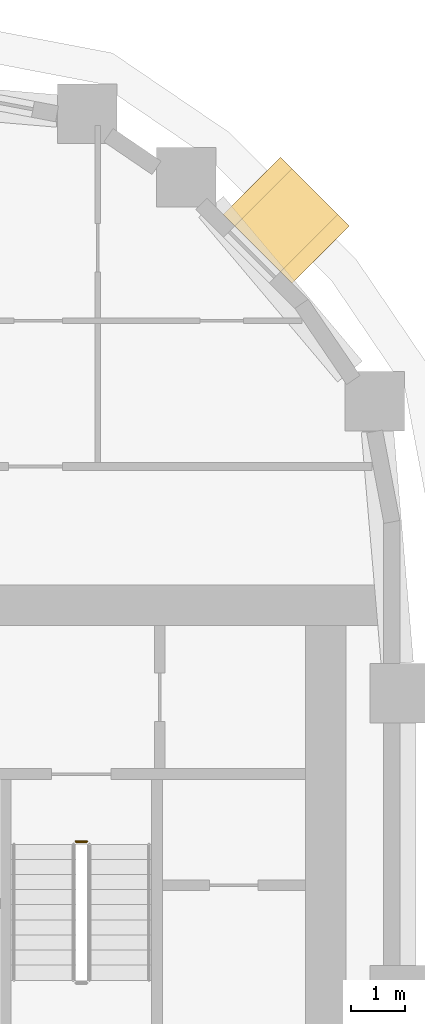
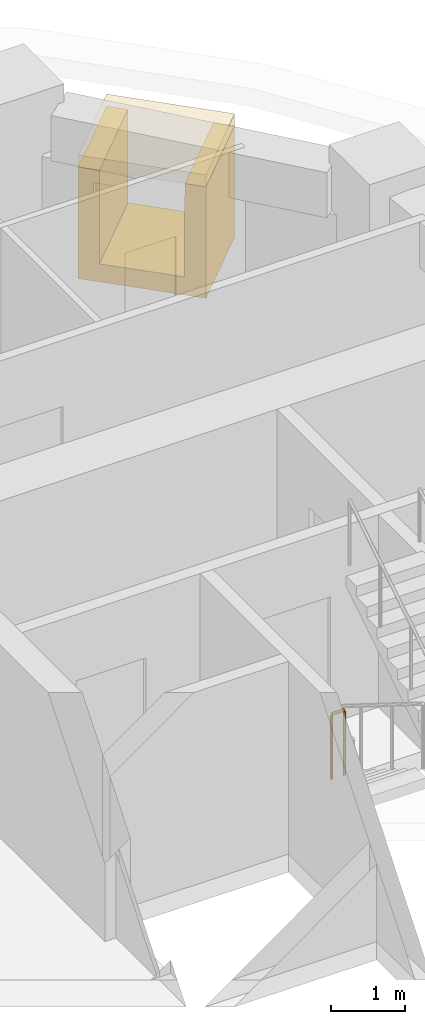
# One storey, part 22 of 22: 2 coverings, 1 railing.
"""IFC4 building model written with IfcOpenShell, lengths in metres."""

from ifc_helpers import new_model, si_unit, direction, frame, origin, origin_2d, place, context, subcontext, project, spatial, polyline, rectangle, circle, outline, extrude, material, layer, layer_set, type_object, element, save


model = new_model("IFC4")

# Units and contexts
model_context = context("Model", 3, precision=1e-05, world=origin(), true_north=direction((0.0, 1.0)))
body_context = subcontext(model_context, "Body", "Model", "MODEL_VIEW")
ifc_project = project(units=[si_unit("LENGTHUNIT", "METRE"), si_unit("AREAUNIT", "SQUARE_METRE"), si_unit("VOLUMEUNIT", "CUBIC_METRE"), si_unit("PLANEANGLEUNIT", "RADIAN"), si_unit("MASSUNIT", "GRAM", prefix="KILO")], contexts=[model_context])

# Site, building, storey
site_placement = place(None, origin())
site = spatial("IfcSite", under=ifc_project, at=site_placement, CompositionType="ELEMENT")
building_placement = place(site_placement, origin())
building = spatial("IfcBuilding", under=site, at=building_placement, Name="Kiln Ring Residences", CompositionType="ELEMENT")
storey_placement = place(building_placement, frame((0.0, 0.0, 139.60009765625)))
storey = spatial("IfcBuildingStorey", under=building, at=storey_placement, Name="L35", CompositionType="ELEMENT", Elevation=139.60009765625)

# Railing
ifc_material_1 = material(Name="Stainless steel", Category="steel")
railing_type = type_object("IfcRailingType", Name="CORE-STAIR-GUARD", PredefinedType="GUARDRAIL", material=ifc_material_1)
railing_placement = place(storey_placement, frame((22.0, 8.449951171875, 0.0)))
element("IfcRailing", 1, at=railing_placement, inside=storey, type_object=railing_type, Name="L35 E-STN stair guard 4", PredefinedType="GUARDRAIL", context=body_context, shape_type="SweptSolid", body=[
    extrude(circle(Radius=0.02392578125, at=origin_2d()), frame((0.0, 0.0, 1.076171875), z_axis=(1.0, 0.0, 0.0), x_axis=(0.0, 1.0, 0.0)), (0.0, 0.0, 1.0), 0.199951171875),
    extrude(circle(Radius=0.02099609375, at=origin_2d()), origin(), (0.0, 0.0, 1.0), 1.052001953125),
    extrude(circle(Radius=0.02099609375, at=origin_2d()), frame((0.199951171875, 0.0, 0.0)), (0.0, 0.0, 1.0), 1.052001953125),
])

# Coverings
ifc_material_2 = material(Name="Brick masonry, dark clay brick", Category="masonry")
ifc_layer_1 = layer(ifc_material_2, 0.300048828125)
ifc_layer_set_1 = layer_set([ifc_layer_1], Name="FRAME CHEEKS AND SILL 1500")
covering_type_1 = type_object("IfcCoveringType", Name="FRAME CHEEKS AND SILL 1500", PredefinedType="CLADDING", material=ifc_layer_set_1)
covering_1_placement = place(storey_placement, frame((26.53271484375, 19.327880859375, 0.2998046875), z_axis=(0.0, 0.0, 1.0), x_axis=(-0.707106781187, 0.707106781187, 0.0)))
element("IfcCovering", 2, at=covering_1_placement, inside=storey, type_object=covering_type_1, Name="FRAME L35", PredefinedType="CLADDING", context=body_context, shape_type="SweptSolid", body=[
    extrude(outline(polyline([(0.0, 0.0), (1.7998046875, 0.0), (1.800048828125, 1.85009765625), (1.5009765625, 1.85009765625), (1.5, 0.300048828125), (0.300048828125, 0.300048828125), (0.299072265625, 1.85009765625), (0.0, 1.85009765625), (0.0, 0.0)])), frame((0.0, 0.75, 0.0), z_axis=(0.0, -1.0, 0.0), x_axis=(1.0, 0.0, 0.0)), (0.0, 0.0, 1.0), 1.5),
])
ifc_material_3 = material(Name="Brick masonry, dark clay brick", Category="masonry")
ifc_layer_2 = layer(ifc_material_3, 0.199951171875)
ifc_layer_set_2 = layer_set([ifc_layer_2], Name="FRAME HEAD 1500")
covering_type_2 = type_object("IfcCoveringType", Name="FRAME HEAD 1500", PredefinedType="CLADDING", material=ifc_layer_set_2)
covering_2_placement = place(storey_placement, frame((25.896240234375, 19.96435546875, 2.14990234375), z_axis=(0.0, 0.0, 1.0), x_axis=(-0.707106781187, 0.707106781187, 0.0)))
element("IfcCovering", 3, at=covering_2_placement, inside=storey, type_object=covering_type_2, Name="FRAME HEAD L35", PredefinedType="CLADDING", context=body_context, shape_type="SweptSolid", body=[
    extrude(rectangle(XDim=1.800048828125, YDim=1.5, at=origin_2d()), origin(), (0.0, 0.0, 1.0), 0.199951171875),
])

save(model, "model.ifc")
